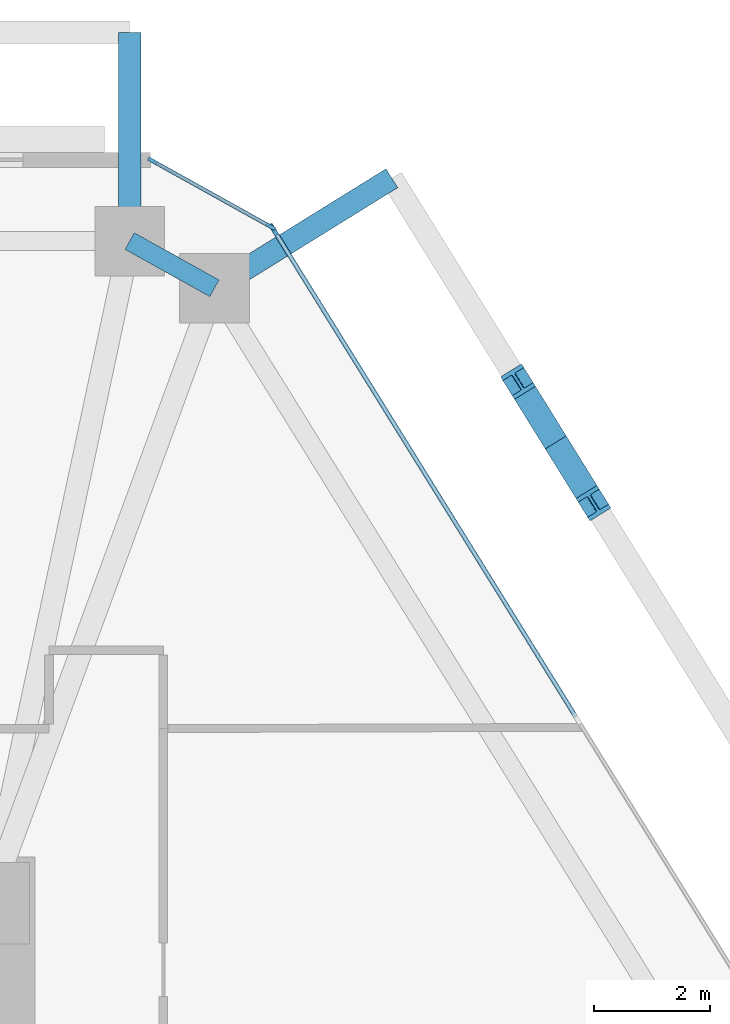
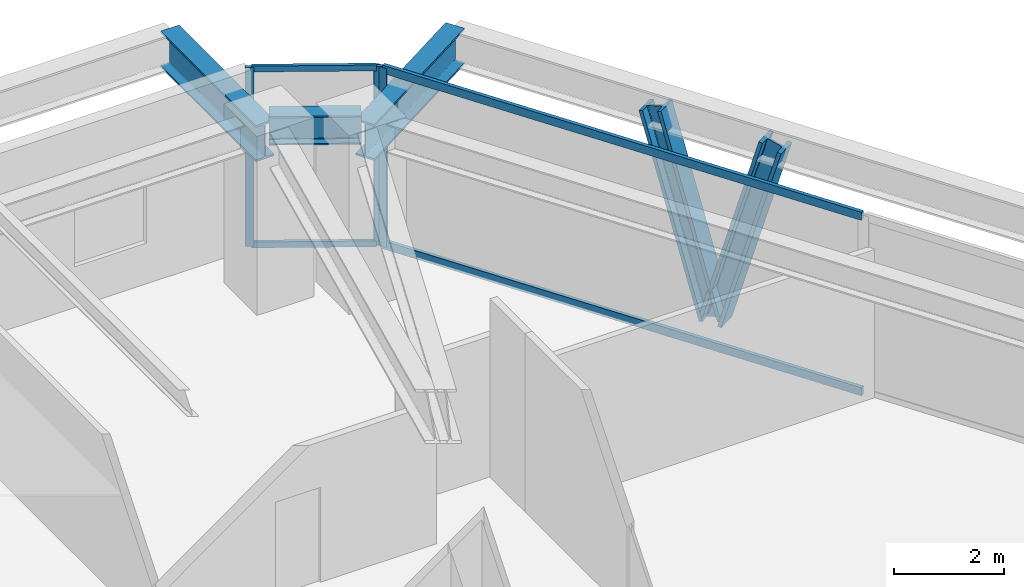
# One storey, part 8 of 14: 9 members, 3 beams, 2 elements without a shape of their own.
"""IFC4 building model written with IfcOpenShell, lengths in metres."""

from ifc_helpers import new_model, si_unit, direction, frame, origin, origin_2d, place, context, subcontext, project, spatial, rectangle, i_section, extrude, source, transform, mapped, material, layer, layer_set, material_profile, profile_set, type_object, type_shapes, element, aggregate, save


model = new_model("IFC4")

# Units and contexts
model_context = context("Model", 3, precision=1e-05, world=origin(), true_north=direction((0.0, 1.0)))
body_context = subcontext(model_context, "Body", "Model", "MODEL_VIEW")
ifc_project = project(units=[si_unit("LENGTHUNIT", "METRE"), si_unit("AREAUNIT", "SQUARE_METRE"), si_unit("VOLUMEUNIT", "CUBIC_METRE"), si_unit("PLANEANGLEUNIT", "RADIAN"), si_unit("MASSUNIT", "GRAM", prefix="KILO")], contexts=[model_context])

# Site, building, storey
site_placement = place(None, origin())
site = spatial("IfcSite", under=ifc_project, at=site_placement, CompositionType="ELEMENT")
building_placement = place(site_placement, origin())
building = spatial("IfcBuilding", under=site, at=building_placement, Name="Durnholm Broadcast Tower", CompositionType="ELEMENT")
storey_placement = place(building_placement, frame((0.0, 0.0, 93.300048828125)))
storey = spatial("IfcBuildingStorey", under=building, at=storey_placement, Name="L24", CompositionType="ELEMENT", Elevation=93.300048828125)

# Beams
ifc_material_1 = material(Name="Steel ASTM A992 Grade 50", Category="steel")
ifc_material_profile_1 = material_profile(ifc_material_1, i_section(OverallWidth=0.385009765625, OverallDepth=0.802978515625, WebThickness=0.023681640625, FlangeThickness=0.0419921875, FilletRadius=0.032958984375, at=origin_2d()), Name="W30X261")
ifc_profile_set_1 = profile_set([ifc_material_profile_1], Name="Steel ASTM A992 Grade 50")
beam_type_1 = type_object("IfcBeamType", Name="BM-EXO-TIE", PredefinedType="USERDEFINED", material=ifc_profile_set_1)
shared_shape_1 = source(origin(), body_context, "Body", "SweptSolid", [
    extrude(i_section(OverallWidth=0.385009765625, OverallDepth=0.802978515625, WebThickness=0.023681640625, FlangeThickness=0.0419921875, FilletRadius=0.032958984375, at=origin_2d()), origin(), (0.0, 0.0, 1.0), 3.4560546875),
])
beam_1_placement = place(storey_placement, frame((12.22998046875, 19.35888671875, 3.20849609375), z_axis=(0.0, 1.0, 0.0), x_axis=(-1.0, 0.0, 0.0)))
element("IfcBeam", 1, at=beam_1_placement, inside=storey, type_object=beam_type_1, Name="L24 exoskeleton stand-off tie bracket F4.1", ObjectType="GIRDER", PredefinedType="USERDEFINED", context=body_context, shape_type="MappedRepresentation", body=[
    mapped(shared_shape_1, transform((0.0, 0.0, 0.0), x_axis=(1.0, 0.0, 0.0), y_axis=(0.0, 1.0, 0.0), z_axis=(0.0, 0.0, 1.0), scale=1.0)),
])
shared_shape_2 = source(origin(), body_context, "Body", "SweptSolid", [
    extrude(i_section(OverallWidth=0.385009765625, OverallDepth=0.802978515625, WebThickness=0.023681640625, FlangeThickness=0.0419921875, FilletRadius=0.032958984375, at=origin_2d()), origin(), (0.0, 0.0, 1.0), 3.455810546875),
])
type_shapes(beam_type_1, [shared_shape_1, shared_shape_2])
beam_2_placement = place(storey_placement, frame((13.814697265625, 18.477294921875, 3.20849609375), z_axis=(0.849807128357, 0.527093772107, 0.0), x_axis=(-0.527093772107, 0.849807128357, 0.0)))
element("IfcBeam", 2, at=beam_2_placement, inside=storey, type_object=beam_type_1, Name="L24 exoskeleton stand-off tie bracket F3.2", ObjectType="GIRDER", PredefinedType="USERDEFINED", context=body_context, shape_type="MappedRepresentation", body=[
    mapped(shared_shape_2, transform((0.0, 0.0, 0.0), x_axis=(1.0, 0.0, 0.0), y_axis=(0.0, 1.0, 0.0), z_axis=(0.0, 0.0, 1.0), scale=1.0)),
])
ifc_material_profile_2 = material_profile(ifc_material_1, i_section(OverallWidth=0.3291015625, OverallDepth=0.635009765625, WebThickness=0.017822265625, FlangeThickness=0.031005859375, FilletRadius=0.02783203125, at=origin_2d()), Name="W24X162")
ifc_profile_set_2 = profile_set([ifc_material_profile_2], Name="Steel ASTM A992 Grade 50")
beam_type_2 = type_object("IfcBeamType", Name="STL-SP-W24X162", PredefinedType="SPANDREL", material=ifc_profile_set_2)
shared_shape_3 = source(origin(), body_context, "Body", "SweptSolid", [
    extrude(i_section(OverallWidth=0.3291015625, OverallDepth=0.635009765625, WebThickness=0.017822265625, FlangeThickness=0.031005859375, FilletRadius=0.02783203125, at=origin_2d()), origin(), (0.0, 0.0, 1.0), 1.67333984375),
])
type_shapes(beam_type_2, [shared_shape_3])
beam_3_placement = place(storey_placement, frame((12.22998046875, 19.215087890625, 3.62744140625), z_axis=(0.873799169188, -0.486286964586, 0.0), x_axis=(0.486286964586, 0.873799169188, 0.0)))
element("IfcBeam", 3, at=beam_3_placement, inside=storey, type_object=beam_type_2, Name="L24 perimeter spandrel girder 06", PredefinedType="SPANDREL", context=body_context, shape_type="MappedRepresentation", body=[
    mapped(shared_shape_3, transform((0.0, 0.0, 0.0), x_axis=(1.0, 0.0, 0.0), y_axis=(0.0, 1.0, 0.0), z_axis=(0.0, 0.0, 1.0), scale=1.0)),
])

# Members
ifc_material_2 = material(Name="Steel ASTM A913 Grade 65", Category="steel")
ifc_material_profile_3 = material_profile(ifc_material_2, i_section(OverallWidth=0.424072265625, OverallDepth=0.47412109375, WebThickness=0.047607421875, FlangeThickness=0.0771484375, FilletRadius=0.030517578125, at=origin_2d()), Name="W14X426")
ifc_profile_set_3 = profile_set([ifc_material_profile_3], Name="Steel ASTM A913 Grade 65")
member_type_1 = type_object("IfcMemberType", Name="STL-DG-W14X426", PredefinedType="BRACE", material=ifc_profile_set_3)
shared_shape_4 = source(origin(), body_context, "Body", "SweptSolid", [
    extrude(i_section(OverallWidth=0.424072265625, OverallDepth=0.47412109375, WebThickness=0.047607421875, FlangeThickness=0.0771484375, FilletRadius=0.030517578125, at=origin_2d()), origin(), (0.0, 0.0, 1.0), 4.43505859375),
])
type_shapes(member_type_1, [shared_shape_4])
for number, where, z_axis, x_axis, name in (
    (4, (19.576416015625, 15.74462890625, -1.051513671875), (0.146593857063, -0.236377777781, 0.960539321029), (0.849838868368, 0.527042595823, 0.0), "L24 stand-off diagrid brace F3.D2.1"),
    (5, (19.576416015625, 15.74462890625, -1.051513671875), (-0.146699676241, 0.236425932254, 0.960511313597), (-0.849716575602, -0.52723973783, 0.0), "L24 stand-off diagrid brace F3.D2.2"),
):
    element("IfcMember", number, at=place(storey_placement, frame(where, z_axis=z_axis, x_axis=x_axis)), inside=storey, type_object=member_type_1, Name=name, PredefinedType="BRACE", context=body_context, shape_type="MappedRepresentation", body=[
        mapped(shared_shape_4, transform((0.0, 0.0, 0.0), x_axis=(1.0, 0.0, 0.0), y_axis=(0.0, 1.0, 0.0), z_axis=(0.0, 0.0, 1.0), scale=1.0)),
    ])

# Curtain wall, members
ifc_material_3 = material(Name="Aluminium and Solar Control IGU", Category="aluminium")
ifc_layer_1 = layer(ifc_material_3, 0.1650390625)
ifc_layer_set_1 = layer_set([ifc_layer_1], Name="Aluminium and Solar Control IGU")
curtain_wall_type_1 = type_object("IfcCurtainWallType", Name="CW-SYS-5", PredefinedType="NOTDEFINED", material=ifc_layer_set_1)
curtain_wall_1_placement = place(storey_placement, origin())
curtain_wall_1 = element("IfcCurtainWall", 6, at=curtain_wall_1_placement, inside=storey, type_object=curtain_wall_type_1, Name="L24 curtain wall CW-CORNER CW-L24-CRN-05", PredefinedType="NOTDEFINED")
ifc_material_4 = material(Name="Aluminium 6063-T6", Category="aluminium")
ifc_material_profile_4 = material_profile(ifc_material_4, rectangle(XDim=0.06494140625, YDim=0.1650390625, at=origin_2d()), Name="CWM65X165")
ifc_profile_set_4 = profile_set([ifc_material_profile_4], Name="Aluminium 6063-T6")
member_type_2 = type_object("IfcMemberType", Name="CW-SYS-5-MUL", PredefinedType="MULLION", material=ifc_profile_set_4)
shared_shape_5 = source(origin(), body_context, "Body", "SweptSolid", [
    extrude(rectangle(XDim=0.06494140625, YDim=0.1650390625, at=origin_2d()), origin(), (0.0, 0.0, 1.0), 3.9599609375),
])
type_shapes(member_type_2, [shared_shape_5])
member_1_placement = place(storey_placement, frame((12.62158203125, 20.59912109375, 0.0), z_axis=(0.0, 0.0, 1.0), x_axis=(0.486244224192, 0.873822953715, 0.0)))
member_1 = element("IfcMember", 7, at=member_1_placement, type_object=member_type_2, Name="CW-CORNER mullion 1", PredefinedType="MULLION", context=body_context, shape_type="MappedRepresentation", body=[
    mapped(shared_shape_5, transform((0.0, 0.0, 0.0), x_axis=(1.0, 0.0, 0.0), y_axis=(0.0, 1.0, 0.0), z_axis=(0.0, 0.0, 1.0), scale=1.0)),
])
member_2_placement = place(storey_placement, frame((14.662109375, 19.4638671875, 0.0), z_axis=(0.0, 0.0, 1.0), x_axis=(0.486244224192, 0.873822953715, 0.0)))
member_2 = element("IfcMember", 8, at=member_2_placement, type_object=member_type_2, Name="CW-CORNER mullion 2", PredefinedType="MULLION", context=body_context, shape_type="MappedRepresentation", body=[
    mapped(shared_shape_5, transform((0.0, 0.0, 0.0), x_axis=(1.0, 0.0, 0.0), y_axis=(0.0, 1.0, 0.0), z_axis=(0.0, 0.0, 1.0), scale=1.0)),
])

# Curtain wall, member
ifc_layer_2 = layer(ifc_material_3, 0.219970703125)
ifc_layer_set_2 = layer_set([ifc_layer_2], Name="Aluminium and Solar Control IGU")
curtain_wall_type_2 = type_object("IfcCurtainWallType", Name="CW-SYS-6", PredefinedType="NOTDEFINED", material=ifc_layer_set_2)
curtain_wall_2_placement = place(storey_placement, origin())
curtain_wall_2 = element("IfcCurtainWall", 9, at=curtain_wall_2_placement, inside=storey, type_object=curtain_wall_type_2, Name="L24 curtain wall CW-AMENITY CW-L24-F06", PredefinedType="NOTDEFINED")
ifc_material_profile_5 = material_profile(ifc_material_4, rectangle(XDim=0.074951171875, YDim=0.219970703125, at=origin_2d()), Name="CWM75X220")
ifc_profile_set_5 = profile_set([ifc_material_profile_5], Name="Aluminium 6063-T6")
member_type_3 = type_object("IfcMemberType", Name="CW-SYS-6-MUL", PredefinedType="MULLION", material=ifc_profile_set_5)
shared_shape_6 = source(origin(), body_context, "Body", "SweptSolid", [
    extrude(rectangle(XDim=0.074951171875, YDim=0.219970703125, at=origin_2d()), origin(), (0.0, 0.0, 1.0), 3.9599609375),
])
type_shapes(member_type_3, [shared_shape_6])
member_3_placement = place(storey_placement, frame((14.710205078125, 19.416015625, 0.0), z_axis=(0.0, 0.0, 1.0), x_axis=(0.849799925229, 0.527105385176, 0.0)))
member_3 = element("IfcMember", 10, at=member_3_placement, type_object=member_type_3, Name="CW-AMENITY mullion 1", PredefinedType="MULLION", context=body_context, shape_type="MappedRepresentation", body=[
    mapped(shared_shape_6, transform((0.0, 0.0, 0.0), x_axis=(1.0, 0.0, 0.0), y_axis=(0.0, 1.0, 0.0), z_axis=(0.0, 0.0, 1.0), scale=1.0)),
])

# Member
ifc_material_profile_6 = material_profile(ifc_material_4, rectangle(XDim=0.06494140625, YDim=0.1298828125, at=origin_2d()), Name="CWT65X130")
ifc_profile_set_6 = profile_set([ifc_material_profile_6], Name="Aluminium 6063-T6")
member_type_4 = type_object("IfcMemberType", Name="CW-SYS-5-TRN", PredefinedType="USERDEFINED", material=ifc_profile_set_6)
shared_shape_7 = source(origin(), body_context, "Body", "SweptSolid", [
    extrude(rectangle(XDim=0.06494140625, YDim=0.1298828125, at=origin_2d()), origin(), (0.0, 0.0, 1.0), 2.270263671875),
])
type_shapes(member_type_4, [shared_shape_7])
member_4_placement = place(storey_placement, frame((12.64990234375, 20.58349609375, 0.032470703125), z_axis=(0.873786708897, -0.486309353555, 0.0), x_axis=(0.486309353555, 0.873786708897, 0.0)))
member_4 = element("IfcMember", 11, at=member_4_placement, type_object=member_type_4, Name="CW-CORNER transom 1.1", ObjectType="TRANSOM", PredefinedType="USERDEFINED", context=body_context, shape_type="MappedRepresentation", body=[
    mapped(shared_shape_7, transform((0.0, 0.0, 0.0), x_axis=(1.0, 0.0, 0.0), y_axis=(0.0, 1.0, 0.0), z_axis=(0.0, 0.0, 1.0), scale=1.0)),
])

member_5_placement = place(storey_placement, frame((12.64990234375, 20.58349609375, 3.927490234375), z_axis=(0.873786708897, -0.486309353555, 0.0), x_axis=(0.486309353555, 0.873786708897, 0.0)))
member_5 = element("IfcMember", 12, at=member_5_placement, type_object=member_type_4, Name="CW-CORNER transom 1.2", ObjectType="TRANSOM", PredefinedType="USERDEFINED", context=body_context, shape_type="MappedRepresentation", body=[
    mapped(shared_shape_7, transform((0.0, 0.0, 0.0), x_axis=(1.0, 0.0, 0.0), y_axis=(0.0, 1.0, 0.0), z_axis=(0.0, 0.0, 1.0), scale=1.0)),
])

aggregate(curtain_wall_1, [member_1, member_2, member_4, member_5])

ifc_material_profile_7 = material_profile(ifc_material_4, rectangle(XDim=0.074951171875, YDim=0.179931640625, at=origin_2d()), Name="CWT75X180")
ifc_profile_set_7 = profile_set([ifc_material_profile_7], Name="Aluminium 6063-T6")
member_type_5 = type_object("IfcMemberType", Name="CW-SYS-6-TRN", PredefinedType="USERDEFINED", material=ifc_profile_set_7)
shared_shape_8 = source(origin(), body_context, "Body", "SweptSolid", [
    extrude(rectangle(XDim=0.074951171875, YDim=0.179931640625, at=origin_2d()), origin(), (0.0, 0.0, 1.0), 9.851318359375),
])
type_shapes(member_type_5, [shared_shape_8])
member_6_placement = place(storey_placement, frame((14.72998046875, 19.38427734375, 0.037353515625), z_axis=(0.527104352206, -0.849800565948, 0.0), x_axis=(0.849800565948, 0.527104352206, 0.0)))
member_6 = element("IfcMember", 13, at=member_6_placement, type_object=member_type_5, Name="CW-AMENITY transom 1.1", ObjectType="TRANSOM", PredefinedType="USERDEFINED", context=body_context, shape_type="MappedRepresentation", body=[
    mapped(shared_shape_8, transform((0.0, 0.0, 0.0), x_axis=(1.0, 0.0, 0.0), y_axis=(0.0, 1.0, 0.0), z_axis=(0.0, 0.0, 1.0), scale=1.0)),
])

member_7_placement = place(storey_placement, frame((14.72998046875, 19.38427734375, 3.92236328125), z_axis=(0.527104352206, -0.849800565948, 0.0), x_axis=(0.849800565948, 0.527104352206, 0.0)))
member_7 = element("IfcMember", 14, at=member_7_placement, type_object=member_type_5, Name="CW-AMENITY transom 1.2", ObjectType="TRANSOM", PredefinedType="USERDEFINED", context=body_context, shape_type="MappedRepresentation", body=[
    mapped(shared_shape_8, transform((0.0, 0.0, 0.0), x_axis=(1.0, 0.0, 0.0), y_axis=(0.0, 1.0, 0.0), z_axis=(0.0, 0.0, 1.0), scale=1.0)),
])

aggregate(curtain_wall_2, [member_3, member_6, member_7])

save(model, "model.ifc")
